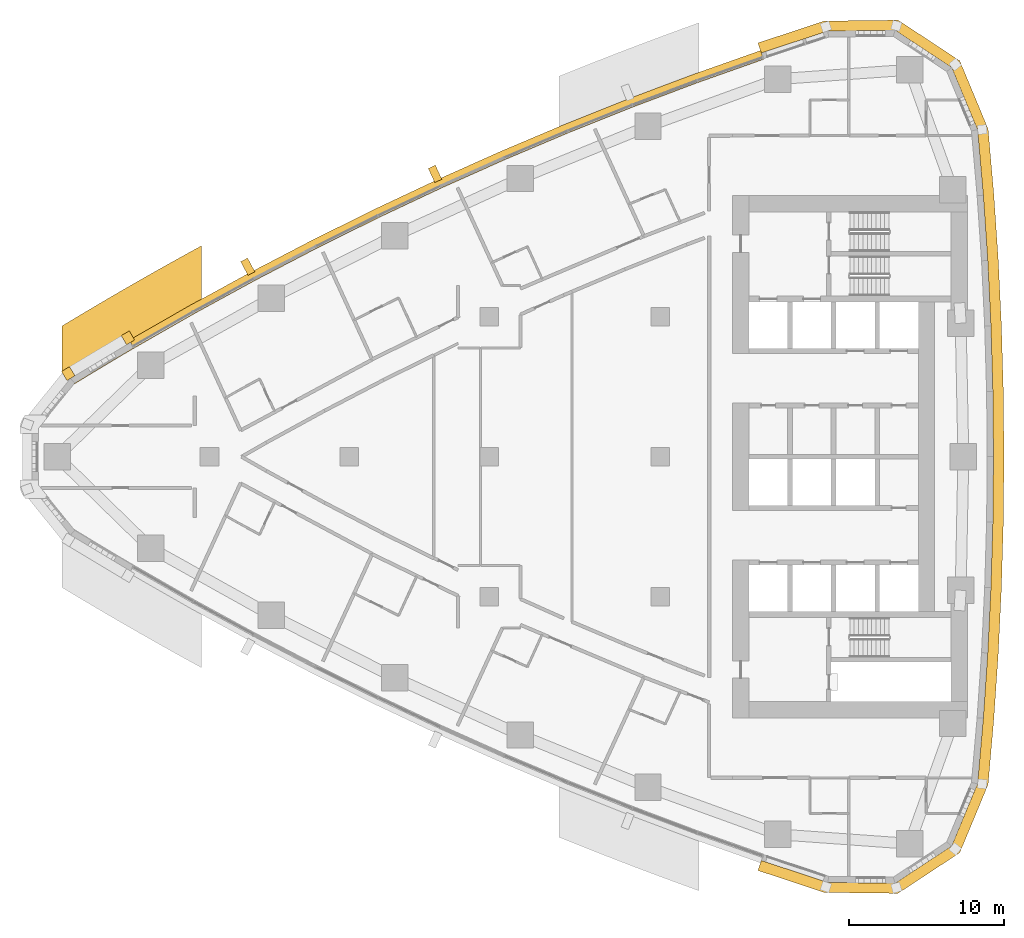
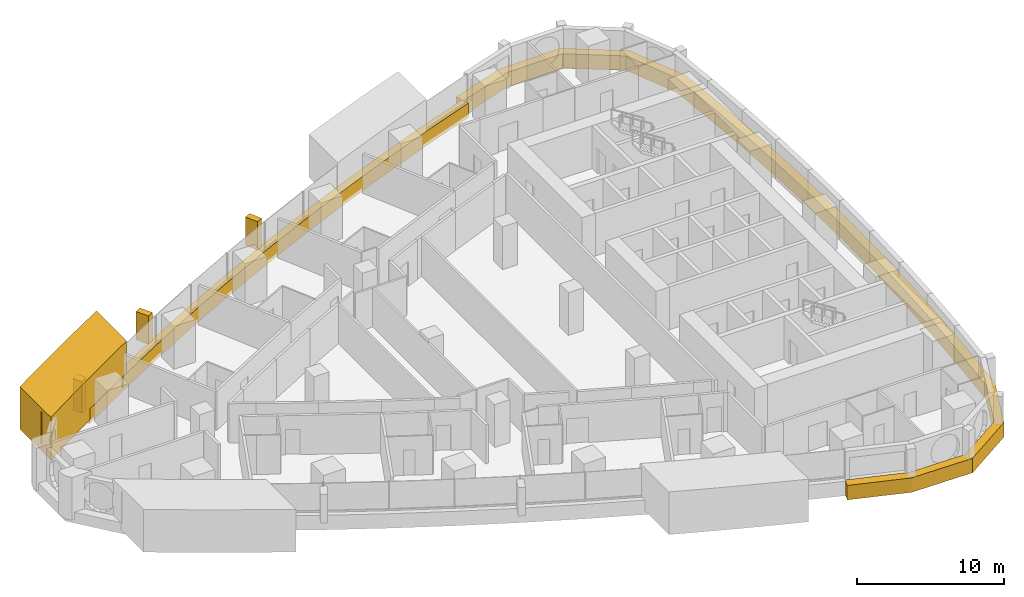
# One storey, part 16 of 17: 7 coverings.
"""IFC4 building model written with IfcOpenShell, lengths in metres."""

from ifc_helpers import new_model, si_unit, direction, frame, frame_2d, origin, place, context, subcontext, project, spatial, polyline, rectangle, outline, extrude, material, layer, layer_set, type_object, element, save


model = new_model("IFC4")

# Units and contexts
model_context = context("Model", 3, precision=1e-05, world=origin(), true_north=direction((0.0, 1.0)))
body_context = subcontext(model_context, "Body", "Model", "MODEL_VIEW")
ifc_project = project(units=[si_unit("LENGTHUNIT", "METRE"), si_unit("AREAUNIT", "SQUARE_METRE"), si_unit("VOLUMEUNIT", "CUBIC_METRE"), si_unit("PLANEANGLEUNIT", "RADIAN"), si_unit("MASSUNIT", "GRAM", prefix="KILO")], contexts=[model_context])

# Site, building, storey
site_placement = place(None, origin())
site = spatial("IfcSite", under=ifc_project, at=site_placement, CompositionType="ELEMENT")
building_placement = place(site_placement, origin())
building = spatial("IfcBuilding", under=site, at=building_placement, Name="Ostrand Prow Hotel Tower", CompositionType="ELEMENT")
storey_placement = place(building_placement, frame((0.0, 0.0, 92.0)))
storey = spatial("IfcBuildingStorey", under=building, at=storey_placement, Name="L21", CompositionType="ELEMENT", Elevation=92.0)

# Coverings
ifc_material_1 = material(Name="Bronze anodised aluminium cladding", Category="aluminium")
ifc_layer_1 = layer(ifc_material_1, 0.60009765625)
ifc_layer_set_1 = layer_set([ifc_layer_1], Name="Bronze anodised aluminium cladding")
covering_type_1 = type_object("IfcCoveringType", Name="Bronze spandrel band 1200x600", PredefinedType="CLADDING", material=ifc_layer_set_1)
covering_1_placement = place(storey_placement, frame((0.0, 0.0, -0.300048828125)))
element("IfcCovering", 1, at=covering_1_placement, inside=storey, type_object=covering_type_1, Name="Spandrel band N1", PredefinedType="CLADDING", context=body_context, shape_type="SweptSolid", body=[
    extrude(outline(polyline([(51.4501953125, 26.1328125), (47.231201171875, 24.64013671875), (43.042724609375, 23.0634765625), (38.88671875, 21.4033203125), (34.764892578125, 19.659912109375), (30.6787109375, 17.834716796875), (26.6298828125, 15.927734375), (22.620361328125, 13.940185546875), (18.651123046875, 11.872802734375), (14.72412109375, 9.726318359375), (10.841064453125, 7.50146484375), (11.144287109375, 6.98388671875), (15.01708984375, 9.20263671875), (18.93359375, 11.343505859375), (22.89208984375, 13.4052734375), (26.89111328125, 15.3876953125), (30.928955078125, 17.289306640625), (35.004150390625, 19.10986328125), (39.114990234375, 20.848388671875), (43.259765625, 22.504150390625), (47.43701171875, 24.076416015625), (51.644775390625, 25.56494140625), (51.4501953125, 26.1328125)])), origin(), (0.0, 0.0, 1.0), 1.199951171875),
])
covering_2_placement = place(storey_placement, frame((0.0, 0.0, -0.300048828125)))
element("IfcCovering", 2, at=covering_2_placement, inside=storey, type_object=covering_type_1, Name="Spandrel band back 1", PredefinedType="CLADDING", context=body_context, shape_type="SweptSolid", body=[
    extrude(outline(polyline([(51.28369140625, -26.619384765625), (55.54150390625, -28.0302734375), (60.2958984375, -28.09033203125), (64.267578125, -25.476806640625), (66.09326171875, -21.086669921875), (66.460693359375, -16.87890625), (66.74658203125, -12.664794921875), (66.950927734375, -8.44580078125), (67.073486328125, -4.2236328125), (67.114501953125, 0.0), (67.073486328125, 4.2236328125), (66.950927734375, 8.44580078125), (66.74658203125, 12.664794921875), (66.460693359375, 16.87890625), (66.09326171875, 21.086669921875), (64.267578125, 25.476806640625), (60.2958984375, 28.09033203125), (55.54150390625, 28.0302734375), (51.28369140625, 26.619384765625), (51.50390625, 25.97607421875), (55.7490234375, 27.3828125), (60.104736328125, 27.437744140625), (63.74365234375, 25.043212890625), (65.41650390625, 21.02099609375), (65.78271484375, 16.826416015625), (66.067626953125, 12.625244140625), (66.271484375, 8.41943359375), (66.393798828125, 4.21044921875), (66.434326171875, 0.0), (66.393798828125, -4.21044921875), (66.271484375, -8.41943359375), (66.067626953125, -12.625244140625), (65.78271484375, -16.826416015625), (65.41650390625, -21.02099609375), (63.74365234375, -25.043212890625), (60.104736328125, -27.437744140625), (55.7490234375, -27.3828125), (51.50390625, -25.97607421875), (51.28369140625, -26.619384765625)])), origin(), (0.0, 0.0, 1.0), 1.199951171875),
])
ifc_material_2 = material(Name="Limestone cladding", Category="masonry")
ifc_layer_2 = layer(ifc_material_2, 5.0)
ifc_layer_set_2 = layer_set([ifc_layer_2], Name="Limestone cladding")
covering_type_2 = type_object("IfcCoveringType", Name="Portal jamb pilaster limestone", PredefinedType="CLADDING", material=ifc_layer_set_2)
covering_3_placement = place(storey_placement, origin())
element("IfcCovering", 3, at=covering_3_placement, inside=storey, type_object=covering_type_2, Name="Portal jamb NA L21", PredefinedType="CLADDING", context=body_context, shape_type="SweptSolid", body=[
    extrude(outline(polyline([(6.5, 4.184326171875), (7.5, 4.80029296875), (8.5, 5.40869140625), (9.5, 6.01025390625), (10.5, 6.6044921875), (11.5, 7.19189453125), (12.5, 7.772216796875), (13.5, 8.345703125), (14.5, 8.912353515625), (15.5, 9.47216796875), (15.5, 13.581787109375), (14.5, 13.03369140625), (13.5, 12.478759765625), (12.5, 11.91748046875), (11.5, 11.349365234375), (10.5, 10.7744140625), (9.5, 10.19287109375), (8.5, 9.604248046875), (7.5, 9.0087890625), (6.5, 8.40625), (6.5, 4.184326171875)])), origin(), (0.0, 0.0, 1.0), 3.550048828125),
])
ifc_material_3 = material(Name="Limestone cladding", Category="masonry")
ifc_layer_3 = layer(ifc_material_3, 0.5)
ifc_layer_set_3 = layer_set([ifc_layer_3], Name="Limestone cladding")
covering_type_3 = type_object("IfcCoveringType", Name="Precast stone fin 500x900", PredefinedType="CLADDING", material=ifc_layer_set_3)
for number, where, z_axis, x_axis, name in (
    (4, (30.720458984375, 17.74365234375, 0.89990234375), (0.0, 0.0, 1.0), (-0.416982531796, 0.908914499927, 0.0), "Stone fin N 6"),
    (5, (18.6982421875, 11.78466796875, 0.89990234375), (0.0, 0.0, 1.0), (-0.470981038243, 0.882143333941, 0.0), "Stone fin N 9"),
):
    element("IfcCovering", number, at=place(storey_placement, frame(where, z_axis=z_axis, x_axis=x_axis)), inside=storey, type_object=covering_type_3, Name=name, PredefinedType="CLADDING", context=body_context, shape_type="SweptSolid", body=[
        extrude(rectangle(XDim=1.0, YDim=0.5, at=frame_2d((0.5, 0.0))), origin(), (0.0, 0.0, 1.0), 2.35009765625),
    ])
ifc_material_4 = material(Name="Limestone cladding", Category="masonry")
ifc_layer_4 = layer(ifc_material_4, 0.60009765625)
ifc_layer_set_4 = layer_set([ifc_layer_4], Name="Limestone cladding")
covering_type_4 = type_object("IfcCoveringType", Name="Precast stone prow rib 600x600", PredefinedType="CLADDING", material=ifc_layer_set_4)
covering_4_placement = place(storey_placement, frame((10.9248046875, 7.358642578125, 0.60009765625), z_axis=(0.0, 0.0, 1.0), x_axis=(-0.505811626043, 0.862643958397, 0.0)))
element("IfcCovering", 6, at=covering_4_placement, inside=storey, type_object=covering_type_4, Name="Stone prow rib 1", PredefinedType="CLADDING", context=body_context, shape_type="SweptSolid", body=[
    extrude(rectangle(XDim=0.68017578125, YDim=0.60009765625, at=frame_2d((0.340087890625, 0.0))), origin(), (0.0, 0.0, 1.0), 2.64990234375),
])
covering_5_placement = place(storey_placement, frame((7.089599609375, 5.058349609375, 0.60009765625), z_axis=(0.0, 0.0, 1.0), x_axis=(-0.522814637618, 0.852446394029, 0.0)))
element("IfcCovering", 7, at=covering_5_placement, inside=storey, type_object=covering_type_4, Name="Stone prow rib 2", PredefinedType="CLADDING", context=body_context, shape_type="SweptSolid", body=[
    extrude(rectangle(XDim=0.679931640625, YDim=0.60009765625, at=frame_2d((0.33984375, 0.0))), origin(), (0.0, 0.0, 1.0), 2.64990234375),
])

save(model, "model.ifc")
